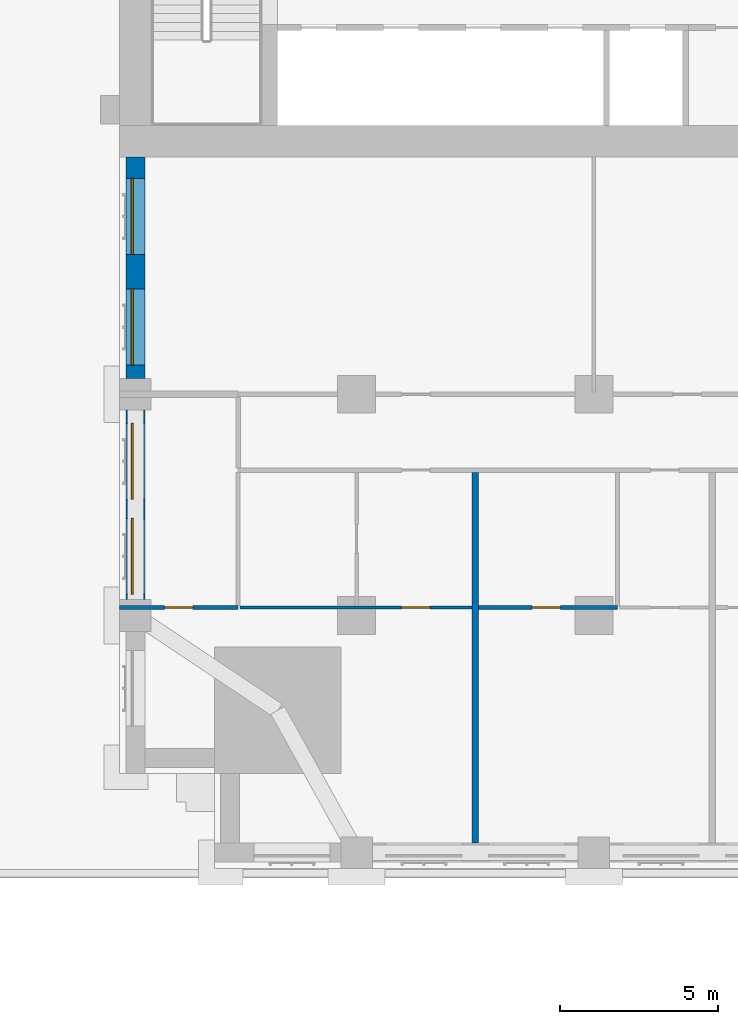
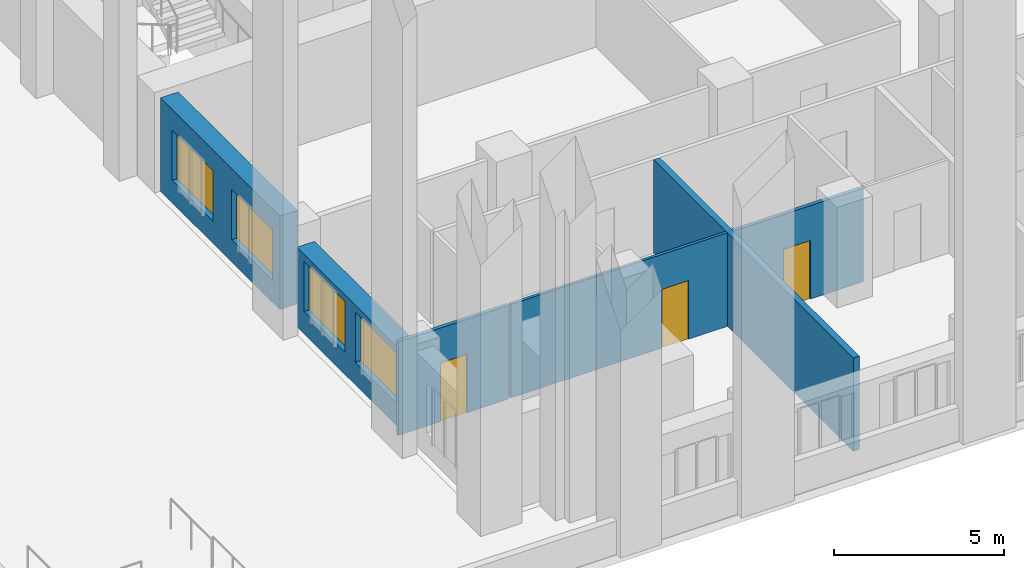
# One storey, part 4 of 27: 6 walls, 4 windows, 3 doors, 7 openings.
"""IFC4 building model written with IfcOpenShell, lengths in metres."""

from ifc_helpers import new_model, si_unit, direction, frame, frame_2d, origin, place, context, subcontext, project, spatial, rectangle, extrude, material, layer, layer_set, type_object, element, fill, save


model = new_model("IFC4")

# Units and contexts
model_context = context("Model", 3, precision=1e-05, world=origin(), true_north=direction((0.0, 1.0)))
body_context = subcontext(model_context, "Body", "Model", "MODEL_VIEW")
ifc_project = project(units=[si_unit("LENGTHUNIT", "METRE"), si_unit("AREAUNIT", "SQUARE_METRE"), si_unit("VOLUMEUNIT", "CUBIC_METRE"), si_unit("PLANEANGLEUNIT", "RADIAN"), si_unit("MASSUNIT", "GRAM", prefix="KILO")], contexts=[model_context])

# Site, building, storey
site_placement = place(None, origin())
site = spatial("IfcSite", under=ifc_project, at=site_placement, CompositionType="ELEMENT")
building_placement = place(site_placement, origin())
building = spatial("IfcBuilding", under=site, at=building_placement, Name="Tamorin Gate", CompositionType="ELEMENT")
storey_placement = place(building_placement, frame((0.0, 0.0, 34.0)))
storey = spatial("IfcBuildingStorey", under=building, at=storey_placement, Name="L06", CompositionType="ELEMENT", Elevation=34.0)

# Wall, openings, windows
ifc_material_1 = material(Name="Precast concrete C40/50", Category="concrete")
ifc_layer_1 = layer(ifc_material_1, 0.60009765625)
ifc_layer_set_1 = layer_set([ifc_layer_1], Name="Precast concrete C40/50")
wall_type_1 = type_object("IfcWallType", Name="Board-marked concrete facade panel 600", PredefinedType="SOLIDWALL", material=ifc_layer_set_1)
wall_1_placement = place(storey_placement, frame((30.5, 60.0, 0.0), z_axis=(0.0, 0.0, 1.0), x_axis=(0.0, -1.0, 0.0)))
wall_1 = element("IfcWall", 1, at=wall_1_placement, inside=storey, type_object=wall_type_1, Name="Facade panel", PredefinedType="SOLIDWALL", context=body_context, shape_type="SweptSolid", body=[
    extrude(rectangle(XDim=7.0, YDim=0.60009765625, at=frame_2d((3.5, 0.0))), origin(), (0.0, 0.0, 1.0), 3.35009765625),
])
opening_1_placement = place(wall_1_placement, frame((4.175048828125, 0.0, 0.800048828125)))
opening_1 = element("IfcOpeningElement", 2, at=opening_1_placement, cuts=wall_1, Name="Opening WN1", PredefinedType="OPENING", context=body_context, shape_type="SweptSolid", body=[
    extrude(rectangle(XDim=2.39990234375, YDim=1.800048828125, at=frame_2d((1.199951171875, 0.89990234375))), frame((0.0, 0.31005859375, 0.0), z_axis=(0.0, -1.0, 0.0), x_axis=(1.0, 0.0, 0.0)), (0.0, 0.0, 1.0), 0.6201171875),
])
opening_2_placement = place(wall_1_placement, frame((0.675048828125, 0.0, 0.800048828125)))
opening_2 = element("IfcOpeningElement", 3, at=opening_2_placement, cuts=wall_1, Name="Opening WN1", PredefinedType="OPENING", context=body_context, shape_type="SweptSolid", body=[
    extrude(rectangle(XDim=2.39990234375, YDim=1.800048828125, at=frame_2d((1.199951171875, 0.89990234375))), frame((0.0, 0.31005859375, 0.0), z_axis=(0.0, -1.0, 0.0), x_axis=(1.0, 0.0, 0.0)), (0.0, 0.0, 1.0), 0.6201171875),
])
ifc_material_2 = material(Name="Clear glass in aluminium frame", Category="aluminium")
window_type = type_object("IfcWindowType", Name="Deep-set window 2400x1800", PartitioningType="SINGLE_PANEL", PredefinedType="WINDOW", material=ifc_material_2)
window_1_placement = place(opening_1_placement, origin())
window_1 = element("IfcWindow", 4, at=window_1_placement, inside=storey, type_object=window_type, Name="Deep-set window", OverallHeight=1.800048828125, OverallWidth=2.39990234375, PartitioningType="SINGLE_PANEL", PredefinedType="WINDOW", context=body_context, shape_type="SweptSolid", body=[
    extrude(rectangle(XDim=2.39990234375, YDim=1.800048828125, at=frame_2d((1.199951171875, 0.89990234375))), frame((0.0, -0.070068359375, 0.0), z_axis=(0.0, -1.0, 0.0), x_axis=(1.0, 0.0, 0.0)), (0.0, 0.0, 1.0), 0.06005859375),
])
fill(opening_1, window_1)
window_2_placement = place(opening_2_placement, origin())
window_2 = element("IfcWindow", 5, at=window_2_placement, inside=storey, type_object=window_type, Name="Deep-set window", OverallHeight=1.800048828125, OverallWidth=2.39990234375, PartitioningType="SINGLE_PANEL", PredefinedType="WINDOW", context=body_context, shape_type="SweptSolid", body=[
    extrude(rectangle(XDim=2.39990234375, YDim=1.800048828125, at=frame_2d((1.199951171875, 0.89990234375))), frame((0.0, -0.070068359375, 0.0), z_axis=(0.0, -1.0, 0.0), x_axis=(1.0, 0.0, 0.0)), (0.0, 0.0, 1.0), 0.06005859375),
])
fill(opening_2, window_2)

wall_2_placement = place(storey_placement, frame((30.5, 52.0, 0.0), z_axis=(0.0, 0.0, 1.0), x_axis=(0.0, -1.0, 0.0)))
wall_2 = element("IfcWall", 6, at=wall_2_placement, inside=storey, type_object=wall_type_1, Name="Facade panel", PredefinedType="SOLIDWALL", context=body_context, shape_type="SweptSolid", body=[
    extrude(rectangle(XDim=6.0, YDim=0.60009765625, at=frame_2d((3.0, 0.0))), origin(), (0.0, 0.0, 1.0), 2.85009765625),
])
opening_3_placement = place(wall_2_placement, frame((3.425048828125, 0.0, 0.800048828125)))
opening_3 = element("IfcOpeningElement", 7, at=opening_3_placement, cuts=wall_2, Name="Opening WN1", PredefinedType="OPENING", context=body_context, shape_type="SweptSolid", body=[
    extrude(rectangle(XDim=2.39990234375, YDim=1.800048828125, at=frame_2d((1.199951171875, 0.89990234375))), frame((0.0, 0.31005859375, 0.0), z_axis=(0.0, -1.0, 0.0), x_axis=(1.0, 0.0, 0.0)), (0.0, 0.0, 1.0), 0.6201171875),
])
opening_4_placement = place(wall_2_placement, frame((0.425048828125, 0.0, 0.800048828125)))
opening_4 = element("IfcOpeningElement", 8, at=opening_4_placement, cuts=wall_2, Name="Opening WN1", PredefinedType="OPENING", context=body_context, shape_type="SweptSolid", body=[
    extrude(rectangle(XDim=2.39990234375, YDim=1.800048828125, at=frame_2d((1.199951171875, 0.89990234375))), frame((0.0, 0.31005859375, 0.0), z_axis=(0.0, -1.0, 0.0), x_axis=(1.0, 0.0, 0.0)), (0.0, 0.0, 1.0), 0.6201171875),
])
window_3_placement = place(opening_3_placement, origin())
window_3 = element("IfcWindow", 9, at=window_3_placement, inside=storey, type_object=window_type, Name="Deep-set window", OverallHeight=1.800048828125, OverallWidth=2.39990234375, PartitioningType="SINGLE_PANEL", PredefinedType="WINDOW", context=body_context, shape_type="SweptSolid", body=[
    extrude(rectangle(XDim=2.39990234375, YDim=1.800048828125, at=frame_2d((1.199951171875, 0.89990234375))), frame((0.0, -0.070068359375, 0.0), z_axis=(0.0, -1.0, 0.0), x_axis=(1.0, 0.0, 0.0)), (0.0, 0.0, 1.0), 0.06005859375),
])
fill(opening_3, window_3)
window_4_placement = place(opening_4_placement, origin())
window_4 = element("IfcWindow", 10, at=window_4_placement, inside=storey, type_object=window_type, Name="Deep-set window", OverallHeight=1.800048828125, OverallWidth=2.39990234375, PartitioningType="SINGLE_PANEL", PredefinedType="WINDOW", context=body_context, shape_type="SweptSolid", body=[
    extrude(rectangle(XDim=2.39990234375, YDim=1.800048828125, at=frame_2d((1.199951171875, 0.89990234375))), frame((0.0, -0.070068359375, 0.0), z_axis=(0.0, -1.0, 0.0), x_axis=(1.0, 0.0, 0.0)), (0.0, 0.0, 1.0), 0.06005859375),
])
fill(opening_4, window_4)

# Wall
ifc_material_3 = material(Name="Gypsum board partition")
ifc_layer_2 = layer(ifc_material_3, 0.199951171875)
ifc_layer_set_2 = layer_set([ifc_layer_2], Name="Demising wall 200")
wall_type_2 = type_object("IfcWallType", Name="Demising wall 200", PredefinedType="PARTITIONING", material=ifc_layer_set_2)
wall_3_placement = place(storey_placement, frame((41.25, 38.31005859375, 0.0), z_axis=(0.0, 0.0, 1.0), x_axis=(0.0, 1.0, 0.0)))
element("IfcWall", 11, at=wall_3_placement, inside=storey, type_object=wall_type_2, Name="Demising wall 200", PredefinedType="PARTITIONING", context=body_context, shape_type="SweptSolid", body=[
    extrude(rectangle(XDim=11.71484375, YDim=0.199951171875, at=frame_2d((5.857421875, 0.0))), origin(), (0.0, 0.0, 1.0), 3.35009765625),
])

# Wall, opening, door
ifc_layer_3 = layer(ifc_material_3, 0.10009765625)
ifc_layer_set_3 = layer_set([ifc_layer_3], Name="Room partition 100")
wall_type_3 = type_object("IfcWallType", Name="Room partition 100", PredefinedType="PARTITIONING", material=ifc_layer_set_3)
wall_4_placement = place(storey_placement, frame((33.8125, 45.75, 0.0), z_axis=(0.0, 0.0, 1.0), x_axis=(1.0, 0.0, 0.0)))
wall_4 = element("IfcWall", 12, at=wall_4_placement, inside=storey, type_object=wall_type_3, Name="Room partition 100", PredefinedType="PARTITIONING", context=body_context, shape_type="SweptSolid", body=[
    extrude(rectangle(XDim=7.33740234375, YDim=0.10009765625, at=frame_2d((3.668701171875, 0.0))), origin(), (0.0, 0.0, 1.0), 3.35009765625),
])
opening_5_placement = place(wall_4_placement, frame((5.112548828125, 0.0, 0.0)))
opening_5 = element("IfcOpeningElement", 13, at=opening_5_placement, cuts=wall_4, Name="Opening DH1004", PredefinedType="OPENING", context=body_context, shape_type="SweptSolid", body=[
    extrude(rectangle(XDim=0.89990234375, YDim=2.10009765625, at=frame_2d((0.449951171875, 1.050048828125))), frame((0.0, 0.06005859375, 0.0), z_axis=(0.0, -1.0, 0.0), x_axis=(1.0, 0.0, 0.0)), (0.0, 0.0, 1.0), 0.1201171875),
])
ifc_material_4 = material(Name="Timber door leaf", Category="wood")
door_type = type_object("IfcDoorType", Name="Door 900 x 2100", OperationType="NOTDEFINED", PredefinedType="DOOR", material=ifc_material_4)
door_1_placement = place(opening_5_placement, origin())
door_1 = element("IfcDoor", 14, at=door_1_placement, inside=storey, type_object=door_type, Name="Door DH1004", OperationType="SINGLE_SWING_LEFT", OverallHeight=2.10009765625, OverallWidth=0.89990234375, PredefinedType="DOOR", context=body_context, shape_type="SweptSolid", body=[
    extrude(rectangle(XDim=0.89990234375, YDim=2.10009765625, at=frame_2d((0.449951171875, 1.050048828125))), frame((0.0, 0.02490234375, 0.0), z_axis=(0.0, -1.0, 0.0), x_axis=(1.0, 0.0, 0.0)), (0.0, 0.0, 1.0), 0.050048828125),
])
fill(opening_5, door_1)

ifc_layer_4 = layer(ifc_material_3, 0.125)
ifc_layer_set_4 = layer_set([ifc_layer_4], Name="Wet wall 125")
wall_type_4 = type_object("IfcWallType", Name="Wet wall 125", PredefinedType="PARTITIONING", material=ifc_layer_set_4)
wall_5_placement = place(storey_placement, frame((30.0, 45.75, 0.0), z_axis=(0.0, 0.0, 1.0), x_axis=(1.0, 0.0, 0.0)))
wall_5 = element("IfcWall", 15, at=wall_5_placement, inside=storey, type_object=wall_type_4, Name="Wet wall 125", PredefinedType="PARTITIONING", context=body_context, shape_type="SweptSolid", body=[
    extrude(rectangle(XDim=3.75, YDim=0.125, at=frame_2d((1.875, 0.0))), origin(), (0.0, 0.0, 1.0), 3.35009765625),
])
opening_6_placement = place(wall_5_placement, frame((1.425048828125, 0.0, 0.0)))
opening_6 = element("IfcOpeningElement", 16, at=opening_6_placement, cuts=wall_5, Name="Opening DH1001", PredefinedType="OPENING", context=body_context, shape_type="SweptSolid", body=[
    extrude(rectangle(XDim=0.89990234375, YDim=2.10009765625, at=frame_2d((0.449951171875, 1.050048828125))), frame((0.0, 0.072509765625, 0.0), z_axis=(0.0, -1.0, 0.0), x_axis=(1.0, 0.0, 0.0)), (0.0, 0.0, 1.0), 0.14501953125),
])
door_2_placement = place(opening_6_placement, origin())
door_2 = element("IfcDoor", 17, at=door_2_placement, inside=storey, type_object=door_type, Name="Door DH1001", OperationType="SINGLE_SWING_LEFT", OverallHeight=2.10009765625, OverallWidth=0.89990234375, PredefinedType="DOOR", context=body_context, shape_type="SweptSolid", body=[
    extrude(rectangle(XDim=0.89990234375, YDim=2.10009765625, at=frame_2d((0.449951171875, 1.050048828125))), frame((0.0, 0.02490234375, 0.0), z_axis=(0.0, -1.0, 0.0), x_axis=(1.0, 0.0, 0.0)), (0.0, 0.0, 1.0), 0.050048828125),
])
fill(opening_6, door_2)

wall_6_placement = place(storey_placement, frame((41.35009765625, 45.75, 0.0), z_axis=(0.0, 0.0, 1.0), x_axis=(1.0, 0.0, 0.0)))
wall_6 = element("IfcWall", 18, at=wall_6_placement, inside=storey, type_object=wall_type_4, Name="Wet wall 125", PredefinedType="PARTITIONING", context=body_context, shape_type="SweptSolid", body=[
    extrude(rectangle(XDim=4.39990234375, YDim=0.125, at=frame_2d((2.199951171875, 0.0))), origin(), (0.0, 0.0, 1.0), 3.35009765625),
])
opening_7_placement = place(wall_6_placement, frame((1.699951171875, 0.0, 0.0)))
opening_7 = element("IfcOpeningElement", 19, at=opening_7_placement, cuts=wall_6, Name="Opening DH1005", PredefinedType="OPENING", context=body_context, shape_type="SweptSolid", body=[
    extrude(rectangle(XDim=0.89990234375, YDim=2.10009765625, at=frame_2d((0.449951171875, 1.050048828125))), frame((0.0, 0.072509765625, 0.0), z_axis=(0.0, -1.0, 0.0), x_axis=(1.0, 0.0, 0.0)), (0.0, 0.0, 1.0), 0.14501953125),
])
door_3_placement = place(opening_7_placement, origin())
door_3 = element("IfcDoor", 20, at=door_3_placement, inside=storey, type_object=door_type, Name="Door DH1005", OperationType="SINGLE_SWING_LEFT", OverallHeight=2.10009765625, OverallWidth=0.89990234375, PredefinedType="DOOR", context=body_context, shape_type="SweptSolid", body=[
    extrude(rectangle(XDim=0.89990234375, YDim=2.10009765625, at=frame_2d((0.449951171875, 1.050048828125))), frame((0.0, 0.02490234375, 0.0), z_axis=(0.0, -1.0, 0.0), x_axis=(1.0, 0.0, 0.0)), (0.0, 0.0, 1.0), 0.050048828125),
])
fill(opening_7, door_3)

save(model, "model.ifc")
